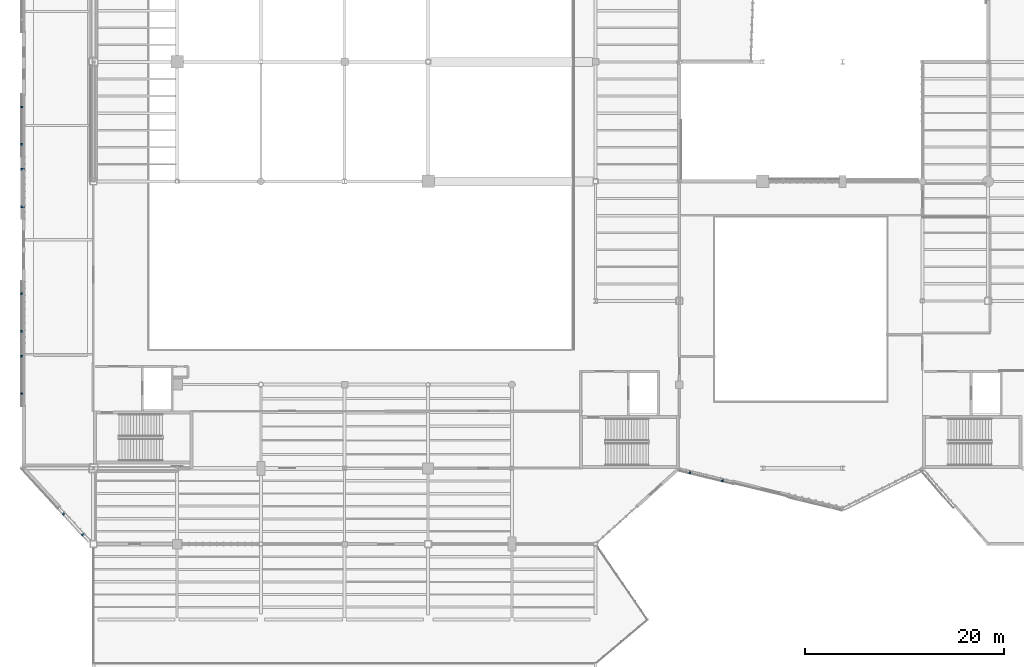
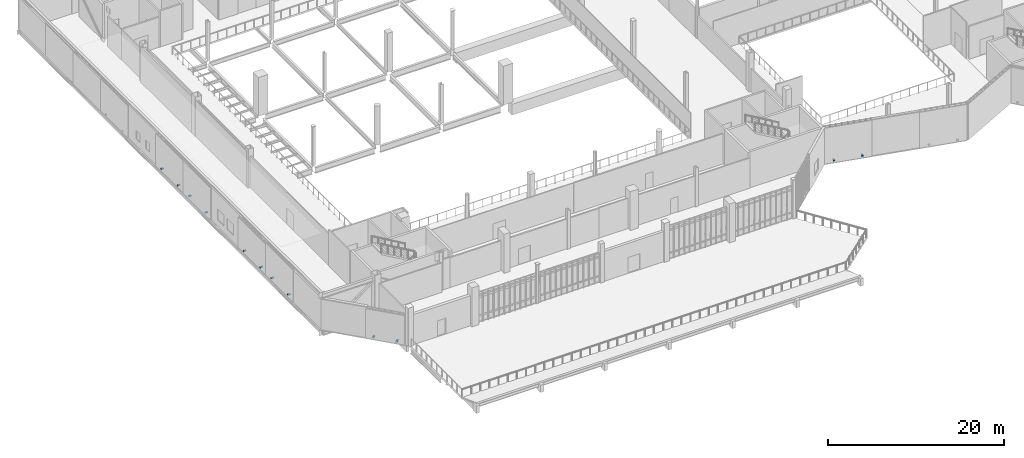
# One storey, part 113 of 127: 12 discrete accessories.
"""IFC4 building model written with IfcOpenShell, lengths in metres."""

from ifc_helpers import new_model, si_unit, direction, frame, origin, origin_2d, place, context, subcontext, project, spatial, rectangle, extrude, material, layer, layer_set, type_object, element, save


model = new_model("IFC4")

# Units and contexts
model_context = context("Model", 3, precision=1e-05, world=origin(), true_north=direction((0.0, 1.0)))
body_context = subcontext(model_context, "Body", "Model", "MODEL_VIEW")
ifc_project = project(units=[si_unit("LENGTHUNIT", "METRE"), si_unit("AREAUNIT", "SQUARE_METRE"), si_unit("VOLUMEUNIT", "CUBIC_METRE"), si_unit("PLANEANGLEUNIT", "RADIAN"), si_unit("MASSUNIT", "GRAM", prefix="KILO")], contexts=[model_context])

# Site, building, storey
site_placement = place(None, origin())
site = spatial("IfcSite", under=ifc_project, at=site_placement, CompositionType="ELEMENT")
building_placement = place(site_placement, origin())
building = spatial("IfcBuilding", under=site, at=building_placement, Name="Larkvane Passage Sports Hall", CompositionType="ELEMENT")
storey_placement = place(building_placement, frame((0.0, 0.0, 5.39990234375)))
storey = spatial("IfcBuildingStorey", under=building, at=storey_placement, Name="L01", CompositionType="ELEMENT", Elevation=5.39990234375)

# Discrete accessories
ifc_material = material(Name="Steel S355JR", Category="steel")
ifc_layer = layer(ifc_material, 0.179931640625)
ifc_layer_set = layer_set([ifc_layer], Name="Steel S355JR")
discrete_accessory_type = type_object("IfcDiscreteAccessoryType", Name="ACC-BRACKET-STL", PredefinedType="BRACKET", material=ifc_layer_set)
for number, where, z_axis, x_axis, name in (
    (1, (33.745849609375, 16.16748046875, 0.26025390625), (0.0, 0.0, 1.0), (-0.677475754753, 0.735545105158, 0.0), "Veil outrigger bracket L01-018-1"),
    (2, (31.84521484375, 18.23095703125, 0.26025390625), (0.0, 0.0, 1.0), (-0.677475754753, 0.735545105158, 0.0), "Veil outrigger bracket L01-018-2"),
    (3, (27.679931640625, 30.305419921875, 0.26025390625), (0.0, 0.0, 1.0), (0.0, 1.0, 0.0), "Veil outrigger bracket L01-019-1"),
    (4, (27.679931640625, 34.05810546875, 0.26025390625), (0.0, 0.0, 1.0), (0.0, 1.0, 0.0), "Veil outrigger bracket L01-019-2"),
    (5, (27.679931640625, 36.56005859375, 0.26025390625), (0.0, 0.0, 1.0), (0.0, 1.0, 0.0), "Veil outrigger bracket L01-020-1"),
    (6, (27.679931640625, 40.312744140625, 0.26025390625), (0.0, 0.0, 1.0), (0.0, 1.0, 0.0), "Veil outrigger bracket L01-020-2"),
    (7, (27.679931640625, 49.069091796875, 0.26025390625), (0.0, 0.0, 1.0), (0.0, 1.0, 0.0), "Veil outrigger bracket L01-021-1"),
    (8, (27.679931640625, 52.82177734375, 0.26025390625), (0.0, 0.0, 1.0), (0.0, 1.0, 0.0), "Veil outrigger bracket L01-021-2"),
    (9, (27.679931640625, 55.32373046875, 0.26025390625), (0.0, 0.0, 1.0), (0.0, 1.0, 0.0), "Veil outrigger bracket L01-022-1"),
    (10, (27.679931640625, 59.076416015625, 0.26025390625), (0.0, 0.0, 1.0), (0.0, 1.0, 0.0), "Veil outrigger bracket L01-022-2"),
    (11, (97.94677734375, 21.6162109375, 0.26025390625), (0.0, 0.0, 1.0), (-0.971520338783, 0.23695618019, 0.0), "Veil outrigger bracket L01-044-1"),
    (12, (94.672607421875, 22.414794921875, 0.26025390625), (0.0, 0.0, 1.0), (-0.971520338783, 0.23695618019, 0.0), "Veil outrigger bracket L01-044-2"),
):
    element("IfcDiscreteAccessory", number, at=place(storey_placement, frame(where, z_axis=z_axis, x_axis=x_axis)), inside=storey, type_object=discrete_accessory_type, Name=name, PredefinedType="BRACKET", context=body_context, shape_type="SweptSolid", body=[
        extrude(rectangle(XDim=0.179931640625, YDim=0.320068359375, at=origin_2d()), origin(), (0.0, 0.0, 1.0), 0.179931640625),
    ])

save(model, "model.ifc")
